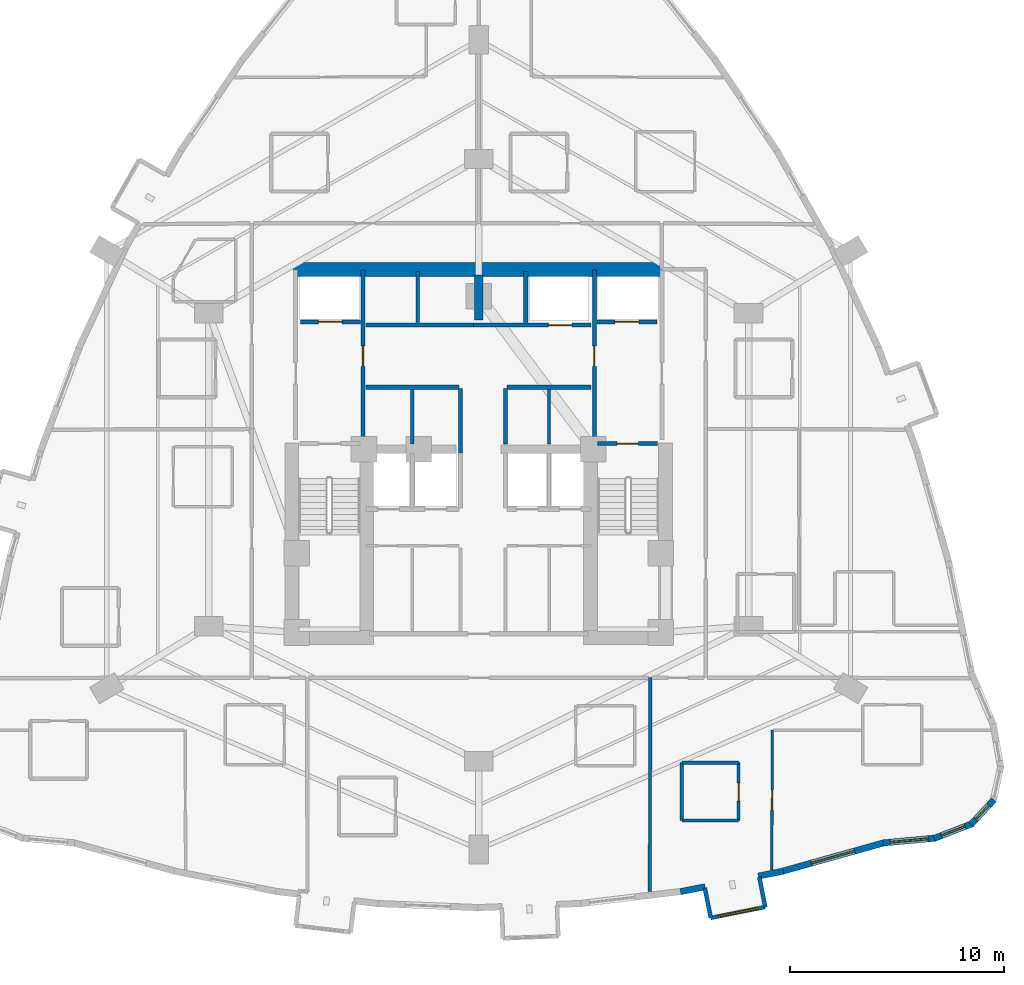
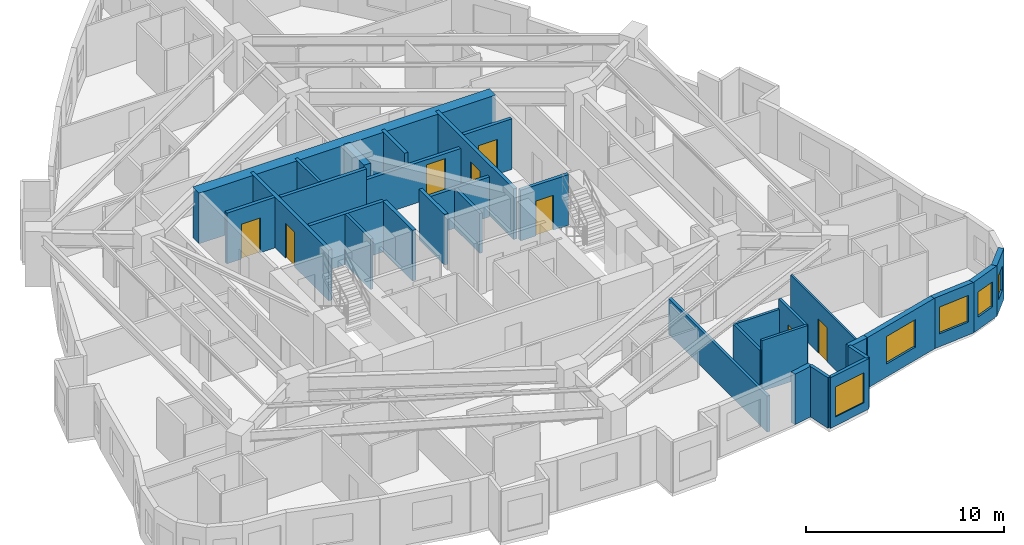
# One storey, part 7 of 11: 32 walls, 8 doors, 5 windows, 13 openings.
"""IFC4 building model written with IfcOpenShell, lengths in metres."""

from ifc_helpers import new_model, si_unit, direction, frame, frame_2d, origin, place, context, subcontext, project, spatial, rectangle, extrude, material, layer, layer_set, type_object, element, fill, save


model = new_model("IFC4")

# Units and contexts
model_context = context("Model", 3, precision=1e-05, world=origin(), true_north=direction((0.0, 1.0)))
body_context = subcontext(model_context, "Body", "Model", "MODEL_VIEW")
ifc_project = project(units=[si_unit("LENGTHUNIT", "METRE"), si_unit("AREAUNIT", "SQUARE_METRE"), si_unit("VOLUMEUNIT", "CUBIC_METRE"), si_unit("PLANEANGLEUNIT", "RADIAN"), si_unit("MASSUNIT", "GRAM", prefix="KILO")], contexts=[model_context])

# Site, building, storey
site_placement = place(None, origin())
site = spatial("IfcSite", under=ifc_project, at=site_placement, CompositionType="ELEMENT")
building_placement = place(site_placement, origin())
building = spatial("IfcBuilding", under=site, at=building_placement, Name="Miruveldt Soraemaru", CompositionType="ELEMENT")
storey_placement = place(building_placement, frame((0.0, 0.0, 66.60009765625)))
storey = spatial("IfcBuildingStorey", under=building, at=storey_placement, Name="L18", CompositionType="ELEMENT", Elevation=66.60009765625)

# Walls
ifc_material_1 = material(Name="White powder-coated aluminium EN AW-6060 T6", Category="aluminium")
ifc_layer_1 = layer(ifc_material_1, 0.18994140625, Name="White powder-coated aluminium EN AW-6060 T6", Category="aluminium")
ifc_layer_set_1 = layer_set([ifc_layer_1], Name="White powder-coated aluminium EN AW-6060 T6")
wall_type_1 = type_object("IfcWallType", Name="WALL-BAY-ALU190", PredefinedType="SOLIDWALL", material=ifc_layer_set_1)
for number, where, z_axis, x_axis, name in (
    (1, (54.548583984375, 23.576171875, 0.0), (0.0, 0.0, 1.0), (0.196149079112, -0.980574086321, 0.0), "L18 Bay Window Side Cheek 5L"),
    (2, (57.377685546875, 22.688720703125, 0.0), (0.0, 0.0, 1.0), (-0.195984352603, 0.980607022989, 0.0), "L18 Bay Window Side Cheek 5R"),
):
    element("IfcWall", number, at=place(storey_placement, frame(where, z_axis=z_axis, x_axis=x_axis)), inside=storey, type_object=wall_type_1, Name=name, PredefinedType="SOLIDWALL", context=body_context, shape_type="SweptSolid", body=[
        extrude(rectangle(XDim=1.425048828125, YDim=0.18994140625, at=frame_2d((0.71240234375, 0.0))), origin(), (0.0, 0.0, 1.0), 3.125),
    ])

# Wall, opening, window
wall_1_placement = place(storey_placement, frame((54.828125, 22.1787109375, 0.0), z_axis=(0.0, 0.0, 1.0), x_axis=(0.980573452128, 0.196152249497, 0.0)))
wall_1 = element("IfcWall", 3, at=wall_1_placement, inside=storey, type_object=wall_type_1, Name="L18 Bay Window Front Frame 5", PredefinedType="SOLIDWALL", context=body_context, shape_type="SweptSolid", body=[
    extrude(rectangle(XDim=2.60009765625, YDim=0.18994140625, at=frame_2d((1.300048828125, 0.0))), origin(), (0.0, 0.0, 1.0), 3.125),
])
opening_1_placement = place(wall_1_placement, frame((0.35009765625, 0.0, 0.550048828125)))
opening_1 = element("IfcOpeningElement", 4, at=opening_1_placement, cuts=wall_1, Name="Opening WN-6", PredefinedType="OPENING", context=body_context, shape_type="SweptSolid", body=[
    extrude(rectangle(XDim=1.89990234375, YDim=1.85009765625, at=frame_2d((0.949951171875, 0.925048828125))), frame((0.0, 0.10498046875, 0.0), z_axis=(0.0, -1.0, 0.0), x_axis=(1.0, 0.0, 0.0)), (0.0, 0.0, 1.0), 0.2099609375),
])
ifc_material_2 = material(Name="Triple low-e insulated glazing", Category="glass")
window_type_1 = type_object("IfcWindowType", Name="WIN-BAYW-1900x1850", PartitioningType="SINGLE_PANEL", PredefinedType="WINDOW", material=ifc_material_2)
window_1_placement = place(opening_1_placement, origin())
window_1 = element("IfcWindow", 5, at=window_1_placement, inside=storey, type_object=window_type_1, Name="L18 Projecting Bay Window 5", OverallHeight=1.85009765625, OverallWidth=1.89990234375, PartitioningType="SINGLE_PANEL", PredefinedType="WINDOW", context=body_context, shape_type="SweptSolid", body=[
    extrude(rectangle(XDim=1.89990234375, YDim=1.85009765625, at=frame_2d((0.949951171875, 0.925048828125))), frame((0.0, 0.030029296875, 0.0), z_axis=(0.0, -1.0, 0.0), x_axis=(1.0, 0.0, 0.0)), (0.0, 0.0, 1.0), 0.06005859375),
])
fill(opening_1, window_1)

# Walls
ifc_material_3 = material(Name="Concrete C70/85 (70 MPa)", Category="concrete")
ifc_layer_2 = layer(ifc_material_3, 0.5, Name="Concrete C70/85 (70 MPa)", Category="concrete")
ifc_layer_set_2 = layer_set([ifc_layer_2], Name="Concrete C70/85 (70 MPa)")
wall_type_2 = type_object("IfcWallType", Name="WALL-BW-500", PredefinedType="SHEAR", material=ifc_layer_set_2)
wall_2_placement = place(storey_placement, frame((44.0, 50.10009765625, 0.0), z_axis=(0.0, 0.0, 1.0), x_axis=(0.0, 1.0, 0.0)))
element("IfcWall", 6, at=wall_2_placement, inside=storey, type_object=wall_type_2, Name="L18 Core Buttress Shear Wall BN", PredefinedType="SHEAR", context=body_context, shape_type="SweptSolid", body=[
    extrude(rectangle(XDim=2.099853515625, YDim=0.39990234375, at=frame_2d((1.0498046875, 0.0))), origin(), (0.0, 0.0, 1.0), 3.125),
])
ifc_material_4 = material(Name="Concrete C80/95 (80 MPa)", Category="concrete")
ifc_layer_3 = layer(ifc_material_4, 0.64990234375, Name="Concrete C80/95 (80 MPa)", Category="concrete")
ifc_layer_set_3 = layer_set([ifc_layer_3], Name="Concrete C80/95 (80 MPa)")
wall_type_3 = type_object("IfcWallType", Name="WALL-CW-650", PredefinedType="SHEAR", material=ifc_layer_set_3)
wall_3_placement = place(storey_placement, frame((35.35009765625, 52.449951171875, 0.0), z_axis=(0.0, 0.0, 1.0), x_axis=(1.0, 0.0, 0.0)))
element("IfcWall", 7, at=wall_3_placement, inside=storey, type_object=wall_type_3, Name="L18 Central Core Shear Wall N", PredefinedType="SHEAR", context=body_context, shape_type="SweptSolid", body=[
    extrude(rectangle(XDim=17.2998046875, YDim=0.64990234375, at=frame_2d((8.64990234375, 0.0))), origin(), (0.0, 0.0, 1.0), 3.125),
])
ifc_material_5 = material(Name="Precast concrete C45/55 (45 MPa)", Category="concrete")
ifc_layer_4 = layer(ifc_material_5, 0.300048828125, Name="Precast concrete C45/55 (45 MPa)", Category="concrete")
ifc_layer_set_4 = layer_set([ifc_layer_4], Name="Precast concrete C45/55 (45 MPa)")
wall_type_4 = type_object("IfcWallType", Name="WALL-EXT-PC300", PredefinedType="SOLIDWALL", material=ifc_layer_set_4)
for number, where, z_axis, x_axis, name in (
    (8, (53.416015625, 23.405517578125, 0.0), (0.0, 0.0, 1.0), (0.980548675022, 0.196276070657, 0.0), "L18 Precast Pier Wall 27A"),
    (9, (57.05810546875, 24.134033203125, 0.0), (0.0, 0.0, 1.0), (0.980548675022, 0.196276070657, 0.0), "L18 Precast Pier Wall 27B"),
):
    element("IfcWall", number, at=place(storey_placement, frame(where, z_axis=z_axis, x_axis=x_axis)), inside=storey, type_object=wall_type_4, Name=name, PredefinedType="SOLIDWALL", context=body_context, shape_type="SweptSolid", body=[
        extrude(rectangle(XDim=1.17431640625, YDim=0.300048828125, at=frame_2d((0.587158203125, 0.0))), origin(), (0.0, 0.0, 1.0), 3.125),
    ])

# Wall, opening, window
wall_4_placement = place(storey_placement, frame((58.1416015625, 24.34814453125, 0.0), z_axis=(0.0, 0.0, 1.0), x_axis=(0.962969114378, 0.269611729629, 0.0)))
wall_4 = element("IfcWall", 10, at=wall_4_placement, inside=storey, type_object=wall_type_4, Name="L18 Precast Concrete Facade Wall 28", PredefinedType="SOLIDWALL", context=body_context, shape_type="SweptSolid", body=[
    extrude(rectangle(XDim=4.976806640625, YDim=0.300048828125, at=frame_2d((2.48828125, 0.0))), origin(), (0.0, 0.0, 1.0), 3.125),
])
opening_2_placement = place(wall_4_placement, frame((1.43798828125, 0.0, 0.800048828125)))
opening_2 = element("IfcOpeningElement", 11, at=opening_2_placement, cuts=wall_4, Name="Opening WN-1", PredefinedType="OPENING", context=body_context, shape_type="SweptSolid", body=[
    extrude(rectangle(XDim=2.10009765625, YDim=1.699951171875, at=frame_2d((1.050048828125, 0.85009765625))), frame((0.0, 0.16015625, 0.0), z_axis=(0.0, -1.0, 0.0), x_axis=(1.0, 0.0, 0.0)), (0.0, 0.0, 1.0), 0.320068359375),
])
window_type_2 = type_object("IfcWindowType", Name="WIN-PUNCH-2100x1700", PartitioningType="SINGLE_PANEL", PredefinedType="WINDOW", material=ifc_material_2)
window_2_placement = place(opening_2_placement, origin())
window_2 = element("IfcWindow", 12, at=window_2_placement, inside=storey, type_object=window_type_2, Name="L18 Punched Triple-Glazed Window 28.1", OverallHeight=1.699951171875, OverallWidth=2.10009765625, PartitioningType="SINGLE_PANEL", PredefinedType="WINDOW", context=body_context, shape_type="SweptSolid", body=[
    extrude(rectangle(XDim=2.10009765625, YDim=1.699951171875, at=frame_2d((1.050048828125, 0.85009765625))), frame((0.0, 0.030029296875, 0.0), z_axis=(0.0, -1.0, 0.0), x_axis=(1.0, 0.0, 0.0)), (0.0, 0.0, 1.0), 0.06005859375),
])
fill(opening_2, window_2)

wall_5_placement = place(storey_placement, frame((62.865478515625, 25.677490234375, 0.0), z_axis=(0.0, 0.0, 1.0), x_axis=(0.995765843862, 0.091925971292, 0.0)))
wall_5 = element("IfcWall", 13, at=wall_5_placement, inside=storey, type_object=wall_type_4, Name="L18 Precast Concrete Facade Wall 29", PredefinedType="SOLIDWALL", context=body_context, shape_type="SweptSolid", body=[
    extrude(rectangle(XDim=2.469970703125, YDim=0.300048828125, at=frame_2d((1.23486328125, 0.0))), origin(), (0.0, 0.0, 1.0), 3.125),
])
opening_3_placement = place(wall_5_placement, frame((0.3349609375, 0.0, 0.800048828125)))
opening_3 = element("IfcOpeningElement", 14, at=opening_3_placement, cuts=wall_5, Name="Opening WN-2", PredefinedType="OPENING", context=body_context, shape_type="SweptSolid", body=[
    extrude(rectangle(XDim=1.800048828125, YDim=1.64990234375, at=frame_2d((0.89990234375, 0.824951171875))), frame((0.0, 0.16015625, 0.0), z_axis=(0.0, -1.0, 0.0), x_axis=(1.0, 0.0, 0.0)), (0.0, 0.0, 1.0), 0.320068359375),
])
window_type_3 = type_object("IfcWindowType", Name="WIN-PUNCH-1800x1650", PartitioningType="SINGLE_PANEL", PredefinedType="WINDOW", material=ifc_material_2)
window_3_placement = place(opening_3_placement, origin())
window_3 = element("IfcWindow", 15, at=window_3_placement, inside=storey, type_object=window_type_3, Name="L18 Punched Triple-Glazed Window 29.1", OverallHeight=1.64990234375, OverallWidth=1.800048828125, PartitioningType="SINGLE_PANEL", PredefinedType="WINDOW", context=body_context, shape_type="SweptSolid", body=[
    extrude(rectangle(XDim=1.800048828125, YDim=1.64990234375, at=frame_2d((0.89990234375, 0.824951171875))), frame((0.0, 0.030029296875, 0.0), z_axis=(0.0, -1.0, 0.0), x_axis=(1.0, 0.0, 0.0)), (0.0, 0.0, 1.0), 0.06005859375),
])
fill(opening_3, window_3)

wall_6_placement = place(storey_placement, frame((65.25732421875, 25.888671875, 0.0), z_axis=(0.0, 0.0, 1.0), x_axis=(0.932288833734, 0.361714708707, 0.0)))
wall_6 = element("IfcWall", 16, at=wall_6_placement, inside=storey, type_object=wall_type_4, Name="L18 Precast Concrete Facade Wall 30", PredefinedType="SOLIDWALL", context=body_context, shape_type="SweptSolid", body=[
    extrude(rectangle(XDim=1.900634765625, YDim=0.300048828125, at=frame_2d((0.9501953125, 0.0))), origin(), (0.0, 0.0, 1.0), 3.125),
])
opening_4_placement = place(wall_6_placement, frame((0.35107421875, 0.0, 0.780029296875)))
opening_4 = element("IfcOpeningElement", 17, at=opening_4_placement, cuts=wall_6, Name="Opening WN-4", PredefinedType="OPENING", context=body_context, shape_type="SweptSolid", body=[
    extrude(rectangle(XDim=1.199951171875, YDim=1.550048828125, at=frame_2d((0.60009765625, 0.77490234375))), frame((0.0, 0.16015625, 0.0), z_axis=(0.0, -1.0, 0.0), x_axis=(1.0, 0.0, 0.0)), (0.0, 0.0, 1.0), 0.320068359375),
])
window_type_4 = type_object("IfcWindowType", Name="WIN-PUNCH-1200x1550", PartitioningType="SINGLE_PANEL", PredefinedType="WINDOW", material=ifc_material_2)
window_4_placement = place(opening_4_placement, origin())
window_4 = element("IfcWindow", 18, at=window_4_placement, inside=storey, type_object=window_type_4, Name="L18 Punched Triple-Glazed Window 30.1", OverallHeight=1.550048828125, OverallWidth=1.199951171875, PartitioningType="SINGLE_PANEL", PredefinedType="WINDOW", context=body_context, shape_type="SweptSolid", body=[
    extrude(rectangle(XDim=1.199951171875, YDim=1.550048828125, at=frame_2d((0.60009765625, 0.77490234375))), frame((0.0, 0.030029296875, 0.0), z_axis=(0.0, -1.0, 0.0), x_axis=(1.0, 0.0, 0.0)), (0.0, 0.0, 1.0), 0.06005859375),
])
fill(opening_4, window_4)

wall_7_placement = place(storey_placement, frame((66.972900390625, 26.537841796875, 0.0), z_axis=(0.0, 0.0, 1.0), x_axis=(0.680201509312, 0.73302517469, 0.0)))
wall_7 = element("IfcWall", 19, at=wall_7_placement, inside=storey, type_object=wall_type_4, Name="L18 Precast Concrete Facade Wall 31", PredefinedType="SOLIDWALL", context=body_context, shape_type="SweptSolid", body=[
    extrude(rectangle(XDim=1.575927734375, YDim=0.300048828125, at=frame_2d((0.7880859375, 0.0))), origin(), (0.0, 0.0, 1.0), 3.125),
])
opening_5_placement = place(wall_7_placement, frame((0.337890625, 0.0, 0.780029296875)))
opening_5 = element("IfcOpeningElement", 20, at=opening_5_placement, cuts=wall_7, Name="Opening WN-7", PredefinedType="OPENING", context=body_context, shape_type="SweptSolid", body=[
    extrude(rectangle(XDim=0.89990234375, YDim=1.5, at=frame_2d((0.449951171875, 0.75))), frame((0.0, 0.16015625, 0.0), z_axis=(0.0, -1.0, 0.0), x_axis=(1.0, 0.0, 0.0)), (0.0, 0.0, 1.0), 0.320068359375),
])
window_type_5 = type_object("IfcWindowType", Name="WIN-PUNCH-900x1500", PartitioningType="SINGLE_PANEL", PredefinedType="WINDOW", material=ifc_material_2)
window_5_placement = place(opening_5_placement, origin())
window_5 = element("IfcWindow", 21, at=window_5_placement, inside=storey, type_object=window_type_5, Name="L18 Punched Triple-Glazed Window 31.1", OverallHeight=1.5, OverallWidth=0.89990234375, PartitioningType="SINGLE_PANEL", PredefinedType="WINDOW", context=body_context, shape_type="SweptSolid", body=[
    extrude(rectangle(XDim=0.89990234375, YDim=1.5, at=frame_2d((0.449951171875, 0.75))), frame((0.0, 0.030029296875, 0.0), z_axis=(0.0, -1.0, 0.0), x_axis=(1.0, 0.0, 0.0)), (0.0, 0.0, 1.0), 0.06005859375),
])
fill(opening_5, window_5)

# Wall, opening, door
ifc_material_6 = material(Name="Gypsum plasterboard lining", Category="gypsum")
ifc_layer_5 = layer(ifc_material_6, 0.1201171875, Name="Gypsum plasterboard lining", Category="gypsum")
ifc_layer_set_5 = layer_set([ifc_layer_5], Name="Gypsum plasterboard lining")
wall_type_5 = type_object("IfcWallType", Name="WALL-INT-P120", PredefinedType="PARTITIONING", material=ifc_layer_set_5)
wall_8_placement = place(storey_placement, frame((57.680908203125, 24.427001953125, 0.0), z_axis=(0.0, 0.0, 1.0), x_axis=(0.002619947592, 0.999996567931, 0.0)))
wall_8 = element("IfcWall", 22, at=wall_8_placement, inside=storey, type_object=wall_type_5, Name="L18 Partition Wall 109", PredefinedType="PARTITIONING", context=body_context, shape_type="SweptSolid", body=[
    extrude(rectangle(XDim=6.52294921875, YDim=0.1201171875, at=frame_2d((3.261474609375, 0.0))), origin(), (0.0, 0.0, 1.0), 3.125),
])
opening_6_placement = place(wall_8_placement, frame((2.802001953125, 0.0, 0.0)))
opening_6 = element("IfcOpeningElement", 23, at=opening_6_placement, cuts=wall_8, Name="Opening D3A", PredefinedType="OPENING", context=body_context, shape_type="SweptSolid", body=[
    extrude(rectangle(XDim=0.919921875, YDim=2.10009765625, at=frame_2d((0.4599609375, 1.050048828125))), frame((0.0, 0.070068359375, 0.0), z_axis=(0.0, -1.0, 0.0), x_axis=(1.0, 0.0, 0.0)), (0.0, 0.0, 1.0), 0.14013671875),
])
ifc_material_7 = material(Name="Anodised aluminium EN AW-6063 T6", Category="aluminium")
door_type_1 = type_object("IfcDoorType", Name="DOOR-INT-920", OperationType="NOTDEFINED", PredefinedType="DOOR", material=ifc_material_7)
door_1_placement = place(opening_6_placement, origin())
door_1 = element("IfcDoor", 24, at=door_1_placement, inside=storey, type_object=door_type_1, Name="L18 Unit 1809 BD1 Door", OperationType="SINGLE_SWING_LEFT", OverallHeight=2.10009765625, OverallWidth=0.919921875, PredefinedType="DOOR", context=body_context, shape_type="SweptSolid", body=[
    extrude(rectangle(XDim=0.919921875, YDim=2.10009765625, at=frame_2d((0.4599609375, 1.050048828125))), frame((0.0, 0.02490234375, 0.0), z_axis=(0.0, -1.0, 0.0), x_axis=(1.0, 0.0, 0.0)), (0.0, 0.0, 1.0), 0.050048828125),
])
fill(opening_6, door_1)

ifc_layer_6 = layer(ifc_material_6, 0.14990234375, Name="Gypsum plasterboard lining", Category="gypsum")
ifc_layer_set_6 = layer_set([ifc_layer_6], Name="Gypsum plasterboard lining")
wall_type_6 = type_object("IfcWallType", Name="WALL-INT-PLUMB", PredefinedType="PLUMBINGWALL", material=ifc_layer_set_6)
wall_9_placement = place(storey_placement, frame((56.1298828125, 26.72705078125, 0.0), z_axis=(0.0, 0.0, 1.0), x_axis=(0.0, 1.0, 0.0)))
wall_9 = element("IfcWall", 25, at=wall_9_placement, inside=storey, type_object=wall_type_6, Name="L18 Partition Wall 102", PredefinedType="PLUMBINGWALL", context=body_context, shape_type="SweptSolid", body=[
    extrude(rectangle(XDim=2.699951171875, YDim=0.14990234375, at=frame_2d((1.35009765625, 0.0))), origin(), (0.0, 0.0, 1.0), 3.125),
])
opening_7_placement = place(wall_9_placement, frame((0.909912109375, 0.0, 0.0)))
opening_7 = element("IfcOpeningElement", 26, at=opening_7_placement, cuts=wall_9, Name="Opening FD3", PredefinedType="OPENING", context=body_context, shape_type="SweptSolid", body=[
    extrude(rectangle(XDim=0.85009765625, YDim=2.10009765625, at=frame_2d((0.425048828125, 1.050048828125))), frame((0.0, 0.0849609375, 0.0), z_axis=(0.0, -1.0, 0.0), x_axis=(1.0, 0.0, 0.0)), (0.0, 0.0, 1.0), 0.169921875),
])
door_type_2 = type_object("IfcDoorType", Name="DOOR-FD3-850", OperationType="NOTDEFINED", PredefinedType="DOOR", material=ifc_material_7)
door_2_placement = place(opening_7_placement, origin())
door_2 = element("IfcDoor", 27, at=door_2_placement, inside=storey, type_object=door_type_2, Name="L18 Unit 1809 BTH Door", OperationType="SINGLE_SWING_LEFT", OverallHeight=2.10009765625, OverallWidth=0.85009765625, PredefinedType="DOOR", context=body_context, shape_type="SweptSolid", body=[
    extrude(rectangle(XDim=0.85009765625, YDim=2.10009765625, at=frame_2d((0.425048828125, 1.050048828125))), frame((0.0, 0.02490234375, 0.0), z_axis=(0.0, -1.0, 0.0), x_axis=(1.0, 0.0, 0.0)), (0.0, 0.0, 1.0), 0.050048828125),
])
fill(opening_7, door_2)

# Walls
wall_10_placement = place(storey_placement, frame((53.47998046875, 29.427001953125, 0.0), z_axis=(0.0, 0.0, 1.0), x_axis=(0.0, -1.0, 0.0)))
element("IfcWall", 28, at=wall_10_placement, inside=storey, type_object=wall_type_6, Name="L18 Partition Wall 104", PredefinedType="PLUMBINGWALL", context=body_context, shape_type="SweptSolid", body=[
    extrude(rectangle(XDim=2.699951171875, YDim=0.14990234375, at=frame_2d((1.35009765625, 0.0))), origin(), (0.0, 0.0, 1.0), 2.512939453125),
])
wall_11_placement = place(storey_placement, frame((56.1298828125, 29.427001953125, 0.0), z_axis=(0.0, 0.0, 1.0), x_axis=(-1.0, 0.0, 0.0)))
element("IfcWall", 29, at=wall_11_placement, inside=storey, type_object=wall_type_6, Name="L18 Partition Wall 103", PredefinedType="PLUMBINGWALL", context=body_context, shape_type="SweptSolid", body=[
    extrude(rectangle(XDim=2.64990234375, YDim=0.14990234375, at=frame_2d((1.324951171875, 0.0))), origin(), (0.0, 0.0, 1.0), 2.512939453125),
])
wall_12_placement = place(storey_placement, frame((53.47998046875, 26.72705078125, 0.0), z_axis=(0.0, 0.0, 1.0), x_axis=(1.0, 0.0, 0.0)))
element("IfcWall", 30, at=wall_12_placement, inside=storey, type_object=wall_type_6, Name="L18 Partition Wall 105", PredefinedType="PLUMBINGWALL", context=body_context, shape_type="SweptSolid", body=[
    extrude(rectangle(XDim=2.64990234375, YDim=0.14990234375, at=frame_2d((1.324951171875, 0.0))), origin(), (0.0, 0.0, 1.0), 3.125),
])
ifc_material_8 = material(Name="Concrete C40/50 (40 MPa)", Category="concrete")
ifc_layer_7 = layer(ifc_material_8, 0.159912109375, Name="Concrete C40/50 (40 MPa)", Category="concrete")
ifc_layer_set_7 = layer_set([ifc_layer_7], Name="Concrete C40/50 (40 MPa)")
wall_type_7 = type_object("IfcWallType", Name="WALL-INT-RC160", PredefinedType="SOLIDWALL", material=ifc_layer_set_7)
wall_13_placement = place(storey_placement, frame((51.989990234375, 23.403076171875, 0.0), z_axis=(0.0, 0.0, 1.0), x_axis=(0.001001293854, 0.999999498705, 0.0)))
element("IfcWall", 31, at=wall_13_placement, inside=storey, type_object=wall_type_7, Name="L18 Partition Wall 101", PredefinedType="SOLIDWALL", context=body_context, shape_type="SweptSolid", body=[
    extrude(rectangle(XDim=9.996826171875, YDim=0.159912109375, at=frame_2d((4.99853515625, 0.0))), origin(), (0.0, 0.0, 1.0), 2.219970703125),
])
wall_14_placement = place(storey_placement, frame((40.89990234375, 44.300048828125, 0.0), z_axis=(0.0, 0.0, 1.0), x_axis=(0.0, 1.0, 0.0)))
element("IfcWall", 32, at=wall_14_placement, inside=storey, type_object=wall_type_7, Name="L18 Core Compartment Wall PLM-DW", PredefinedType="SOLIDWALL", context=body_context, shape_type="SweptSolid", body=[
    extrude(rectangle(XDim=2.550048828125, YDim=0.159912109375, at=frame_2d((1.27490234375, 0.0))), origin(), (0.0, 0.0, 1.0), 3.125),
])
wall_15_placement = place(storey_placement, frame((47.280029296875, 44.300048828125, 0.0), z_axis=(0.0, 0.0, 1.0), x_axis=(0.0, 1.0, 0.0)))
element("IfcWall", 33, at=wall_15_placement, inside=storey, type_object=wall_type_7, Name="L18 Core Compartment Wall PLM-DE", PredefinedType="SOLIDWALL", context=body_context, shape_type="SweptSolid", body=[
    extrude(rectangle(XDim=2.550048828125, YDim=0.159912109375, at=frame_2d((1.27490234375, 0.0))), origin(), (0.0, 0.0, 1.0), 2.462890625),
])
wall_16_placement = place(storey_placement, frame((41.14990234375, 49.97998046875, 0.0), z_axis=(0.0, 0.0, 1.0), x_axis=(0.0, 1.0, 0.0)))
element("IfcWall", 34, at=wall_16_placement, inside=storey, type_object=wall_type_7, Name="L18 Core Compartment Wall PLH-DIV1", PredefinedType="SOLIDWALL", context=body_context, shape_type="SweptSolid", body=[
    extrude(rectangle(XDim=2.3701171875, YDim=0.159912109375, at=frame_2d((1.18505859375, 0.0))), origin(), (0.0, 0.0, 1.0), 3.125),
])

# Wall, opening, door
ifc_layer_8 = layer(ifc_material_8, 0.199951171875, Name="Concrete C40/50 (40 MPa)", Category="concrete")
ifc_layer_set_8 = layer_set([ifc_layer_8], Name="Concrete C40/50 (40 MPa)")
wall_type_8 = type_object("IfcWallType", Name="WALL-INT-RC200", PredefinedType="SOLIDWALL", material=ifc_layer_set_8)
wall_17_placement = place(storey_placement, frame((38.60009765625, 44.5, 0.0), z_axis=(0.0, 0.0, 1.0), x_axis=(0.0, 1.0, 0.0)))
wall_17 = element("IfcWall", 35, at=wall_17_placement, inside=storey, type_object=wall_type_8, Name="L18 Core Compartment Wall FFW-IN", PredefinedType="SOLIDWALL", context=body_context, shape_type="SweptSolid", body=[
    extrude(rectangle(XDim=7.919921875, YDim=0.199951171875, at=frame_2d((3.9599609375, 0.0))), origin(), (0.0, 0.0, 1.0), 3.125),
])
opening_8_placement = place(wall_17_placement, frame((3.425048828125, 0.0, 0.0)))
opening_8 = element("IfcOpeningElement", 36, at=opening_8_placement, cuts=wall_17, Name="Opening FD2", PredefinedType="OPENING", context=body_context, shape_type="SweptSolid", body=[
    extrude(rectangle(XDim=0.949951171875, YDim=2.14990234375, at=frame_2d((0.47509765625, 1.074951171875))), frame((0.0, 0.10986328125, 0.0), z_axis=(0.0, -1.0, 0.0), x_axis=(1.0, 0.0, 0.0)), (0.0, 0.0, 1.0), 0.219970703125),
])
door_type_3 = type_object("IfcDoorType", Name="DOOR-FD2-950", OperationType="NOTDEFINED", PredefinedType="DOOR", material=ifc_material_7)
door_3_placement = place(opening_8_placement, frame((0.949951171875, 0.0, 0.0), z_axis=(0.0, 0.0, 1.0), x_axis=(-1.0, 0.0, 0.0)))
door_3 = element("IfcDoor", 37, at=door_3_placement, inside=storey, type_object=door_type_3, Name="L18 Lift Lobby to West Fire Lobby Door", OperationType="SINGLE_SWING_RIGHT", OverallHeight=2.14990234375, OverallWidth=0.949951171875, PredefinedType="DOOR", context=body_context, shape_type="SweptSolid", body=[
    extrude(rectangle(XDim=0.949951171875, YDim=2.14990234375, at=frame_2d((0.47509765625, 1.074951171875))), frame((0.0, 0.02490234375, 0.0), z_axis=(0.0, -1.0, 0.0), x_axis=(1.0, 0.0, 0.0)), (0.0, 0.0, 1.0), 0.050048828125),
])
fill(opening_8, door_3)

wall_18_placement = place(storey_placement, frame((49.39990234375, 44.5, 0.0), z_axis=(0.0, 0.0, 1.0), x_axis=(0.0, 1.0, 0.0)))
wall_18 = element("IfcWall", 38, at=wall_18_placement, inside=storey, type_object=wall_type_8, Name="L18 Core Compartment Wall FFE-IN", PredefinedType="SOLIDWALL", context=body_context, shape_type="SweptSolid", body=[
    extrude(rectangle(XDim=7.919921875, YDim=0.199951171875, at=frame_2d((3.9599609375, 0.0))), origin(), (0.0, 0.0, 1.0), 3.125),
])
opening_9_placement = place(wall_18_placement, frame((3.425048828125, 0.0, 0.0)))
opening_9 = element("IfcOpeningElement", 39, at=opening_9_placement, cuts=wall_18, Name="Opening FD2", PredefinedType="OPENING", context=body_context, shape_type="SweptSolid", body=[
    extrude(rectangle(XDim=0.949951171875, YDim=2.14990234375, at=frame_2d((0.47509765625, 1.074951171875))), frame((0.0, 0.10986328125, 0.0), z_axis=(0.0, -1.0, 0.0), x_axis=(1.0, 0.0, 0.0)), (0.0, 0.0, 1.0), 0.219970703125),
])
door_4_placement = place(opening_9_placement, origin())
door_4 = element("IfcDoor", 40, at=door_4_placement, inside=storey, type_object=door_type_3, Name="L18 Lift Lobby to East Fire Lobby Door", OperationType="SINGLE_SWING_LEFT", OverallHeight=2.14990234375, OverallWidth=0.949951171875, PredefinedType="DOOR", context=body_context, shape_type="SweptSolid", body=[
    extrude(rectangle(XDim=0.949951171875, YDim=2.14990234375, at=frame_2d((0.47509765625, 1.074951171875))), frame((0.0, 0.02490234375, 0.0), z_axis=(0.0, -1.0, 0.0), x_axis=(1.0, 0.0, 0.0)), (0.0, 0.0, 1.0), 0.050048828125),
])
fill(opening_9, door_4)

wall_19_placement = place(storey_placement, frame((43.75, 49.85009765625, 0.0), z_axis=(0.0, 0.0, 1.0), x_axis=(1.0, 0.0, 0.0)))
wall_19 = element("IfcWall", 41, at=wall_19_placement, inside=storey, type_object=wall_type_8, Name="L18 Core Compartment Wall ROWA-SE", PredefinedType="SOLIDWALL", context=body_context, shape_type="SweptSolid", body=[
    extrude(rectangle(XDim=5.5, YDim=0.199951171875, at=frame_2d((2.75, 0.0))), origin(), (0.0, 0.0, 1.0), 2.462890625),
])
opening_10_placement = place(wall_19_placement, frame((3.5, 0.0, 0.0)))
opening_10 = element("IfcOpeningElement", 42, at=opening_10_placement, cuts=wall_19, Name="Opening LD2", PredefinedType="OPENING", context=body_context, shape_type="SweptSolid", body=[
    extrude(rectangle(XDim=1.10009765625, YDim=2.14990234375, at=frame_2d((0.550048828125, 1.074951171875))), frame((0.0, 0.10986328125, 0.0), z_axis=(0.0, -1.0, 0.0), x_axis=(1.0, 0.0, 0.0)), (0.0, 0.0, 1.0), 0.219970703125),
])
door_type_4 = type_object("IfcDoorType", Name="DOOR-LD2-1100", OperationType="SLIDING_TO_LEFT", PredefinedType="DOOR", material=ifc_material_7)
door_5_placement = place(opening_10_placement, origin())
door_5 = element("IfcDoor", 43, at=door_5_placement, inside=storey, type_object=door_type_4, Name="L18 SL-1 Landing Door", OperationType="SLIDING_TO_LEFT", OverallHeight=2.14990234375, OverallWidth=1.10009765625, PredefinedType="DOOR", context=body_context, shape_type="SweptSolid", body=[
    extrude(rectangle(XDim=1.10009765625, YDim=2.14990234375, at=frame_2d((0.550048828125, 1.074951171875))), frame((0.0, 0.02490234375, 0.0), z_axis=(0.0, -1.0, 0.0), x_axis=(1.0, 0.0, 0.0)), (0.0, 0.0, 1.0), 0.050048828125),
])
fill(opening_10, door_5)

wall_20_placement = place(storey_placement, frame((49.550048828125, 44.320068359375, 0.0), z_axis=(0.0, 0.0, 1.0), x_axis=(1.0, 0.0, 0.0)))
wall_20 = element("IfcWall", 44, at=wall_20_placement, inside=storey, type_object=wall_type_8, Name="L18 Core Compartment Wall ST2-N", PredefinedType="SOLIDWALL", context=body_context, shape_type="SweptSolid", body=[
    extrude(rectangle(XDim=2.800048828125, YDim=0.199951171875, at=frame_2d((1.39990234375, 0.0))), origin(), (0.0, 0.0, 1.0), 3.125),
])
opening_11_placement = place(wall_20_placement, frame((0.89990234375, 0.0, 0.0)))
opening_11 = element("IfcOpeningElement", 45, at=opening_11_placement, cuts=wall_20, Name="Opening FD1", PredefinedType="OPENING", context=body_context, shape_type="SweptSolid", body=[
    extrude(rectangle(XDim=1.0, YDim=2.14990234375, at=frame_2d((0.5, 1.074951171875))), frame((0.0, 0.10986328125, 0.0), z_axis=(0.0, -1.0, 0.0), x_axis=(1.0, 0.0, 0.0)), (0.0, 0.0, 1.0), 0.219970703125),
])
door_type_5 = type_object("IfcDoorType", Name="DOOR-FD1-1000", OperationType="NOTDEFINED", PredefinedType="DOOR", material=ifc_material_7)
door_6_placement = place(opening_11_placement, frame((1.0, 0.0, 0.0), z_axis=(0.0, 0.0, 1.0), x_axis=(-1.0, 0.0, 0.0)))
door_6 = element("IfcDoor", 46, at=door_6_placement, inside=storey, type_object=door_type_5, Name="L18 Stair ST-2 Fire Door", OperationType="SINGLE_SWING_RIGHT", OverallHeight=2.14990234375, OverallWidth=1.0, PredefinedType="DOOR", context=body_context, shape_type="SweptSolid", body=[
    extrude(rectangle(XDim=1.0, YDim=2.14990234375, at=frame_2d((0.5, 1.074951171875))), frame((0.0, 0.02490234375, 0.0), z_axis=(0.0, -1.0, 0.0), x_axis=(1.0, 0.0, 0.0)), (0.0, 0.0, 1.0), 0.050048828125),
])
fill(opening_11, door_6)

wall_21_placement = place(storey_placement, frame((35.679931640625, 50.0, 0.0), z_axis=(0.0, 0.0, 1.0), x_axis=(1.0, 0.0, 0.0)))
wall_21 = element("IfcWall", 47, at=wall_21_placement, inside=storey, type_object=wall_type_8, Name="L18 Core Compartment Wall FFL1-S", PredefinedType="SOLIDWALL", context=body_context, shape_type="SweptSolid", body=[
    extrude(rectangle(XDim=2.800048828125, YDim=0.199951171875, at=frame_2d((1.39990234375, 0.0))), origin(), (0.0, 0.0, 1.0), 3.125),
])
opening_12_placement = place(wall_21_placement, frame((0.85009765625, 0.0, 0.0)))
opening_12 = element("IfcOpeningElement", 48, at=opening_12_placement, cuts=wall_21, Name="Opening LD2", PredefinedType="OPENING", context=body_context, shape_type="SweptSolid", body=[
    extrude(rectangle(XDim=1.10009765625, YDim=2.14990234375, at=frame_2d((0.550048828125, 1.074951171875))), frame((0.0, 0.10986328125, 0.0), z_axis=(0.0, -1.0, 0.0), x_axis=(1.0, 0.0, 0.0)), (0.0, 0.0, 1.0), 0.219970703125),
])
door_7_placement = place(opening_12_placement, origin())
door_7 = element("IfcDoor", 49, at=door_7_placement, inside=storey, type_object=door_type_4, Name="L18 FFL-1 Landing Door", OperationType="SLIDING_TO_LEFT", OverallHeight=2.14990234375, OverallWidth=1.10009765625, PredefinedType="DOOR", context=body_context, shape_type="SweptSolid", body=[
    extrude(rectangle(XDim=1.10009765625, YDim=2.14990234375, at=frame_2d((0.550048828125, 1.074951171875))), frame((0.0, 0.02490234375, 0.0), z_axis=(0.0, -1.0, 0.0), x_axis=(1.0, 0.0, 0.0)), (0.0, 0.0, 1.0), 0.050048828125),
])
fill(opening_12, door_7)

wall_22_placement = place(storey_placement, frame((49.52001953125, 50.0, 0.0), z_axis=(0.0, 0.0, 1.0), x_axis=(1.0, 0.0, 0.0)))
wall_22 = element("IfcWall", 50, at=wall_22_placement, inside=storey, type_object=wall_type_8, Name="L18 Core Compartment Wall FFL2-S", PredefinedType="SOLIDWALL", context=body_context, shape_type="SweptSolid", body=[
    extrude(rectangle(XDim=2.800048828125, YDim=0.199951171875, at=frame_2d((1.39990234375, 0.0))), origin(), (0.0, 0.0, 1.0), 3.125),
])
opening_13_placement = place(wall_22_placement, frame((0.85009765625, 0.0, 0.0)))
opening_13 = element("IfcOpeningElement", 51, at=opening_13_placement, cuts=wall_22, Name="Opening LD2", PredefinedType="OPENING", context=body_context, shape_type="SweptSolid", body=[
    extrude(rectangle(XDim=1.10009765625, YDim=2.14990234375, at=frame_2d((0.550048828125, 1.074951171875))), frame((0.0, 0.10986328125, 0.0), z_axis=(0.0, -1.0, 0.0), x_axis=(1.0, 0.0, 0.0)), (0.0, 0.0, 1.0), 0.219970703125),
])
door_8_placement = place(opening_13_placement, origin())
door_8 = element("IfcDoor", 52, at=door_8_placement, inside=storey, type_object=door_type_4, Name="L18 FFL-2 Landing Door", OperationType="SLIDING_TO_LEFT", OverallHeight=2.14990234375, OverallWidth=1.10009765625, PredefinedType="DOOR", context=body_context, shape_type="SweptSolid", body=[
    extrude(rectangle(XDim=1.10009765625, YDim=2.14990234375, at=frame_2d((0.550048828125, 1.074951171875))), frame((0.0, 0.02490234375, 0.0), z_axis=(0.0, -1.0, 0.0), x_axis=(1.0, 0.0, 0.0)), (0.0, 0.0, 1.0), 0.050048828125),
])
fill(opening_13, door_8)

# Walls
wall_23_placement = place(storey_placement, frame((38.75, 49.85009765625, 0.0), z_axis=(0.0, 0.0, 1.0), x_axis=(1.0, 0.0, 0.0)))
element("IfcWall", 53, at=wall_23_placement, inside=storey, type_object=wall_type_8, Name="L18 Core Compartment Wall ROWA-SW", PredefinedType="SOLIDWALL", context=body_context, shape_type="SweptSolid", body=[
    extrude(rectangle(XDim=5.0, YDim=0.199951171875, at=frame_2d((2.5, 0.0))), origin(), (0.0, 0.0, 1.0), 3.125),
])
wall_24_placement = place(storey_placement, frame((38.75, 46.949951171875, 0.0), z_axis=(0.0, 0.0, 1.0), x_axis=(1.0, 0.0, 0.0)))
element("IfcWall", 54, at=wall_24_placement, inside=storey, type_object=wall_type_8, Name="L18 Core Compartment Wall MBW-N", PredefinedType="SOLIDWALL", context=body_context, shape_type="SweptSolid", body=[
    extrude(rectangle(XDim=4.330078125, YDim=0.199951171875, at=frame_2d((2.1650390625, 0.0))), origin(), (0.0, 0.0, 1.0), 3.125),
])
wall_25_placement = place(storey_placement, frame((45.320068359375, 46.949951171875, 0.0), z_axis=(0.0, 0.0, 1.0), x_axis=(1.0, 0.0, 0.0)))
element("IfcWall", 55, at=wall_25_placement, inside=storey, type_object=wall_type_8, Name="L18 Core Compartment Wall MBE-N", PredefinedType="SOLIDWALL", context=body_context, shape_type="SweptSolid", body=[
    extrude(rectangle(XDim=3.929931640625, YDim=0.199951171875, at=frame_2d((1.96484375, 0.0))), origin(), (0.0, 0.0, 1.0), 2.462890625),
])
wall_26_placement = place(storey_placement, frame((43.14990234375, 43.8798828125, 0.0), z_axis=(0.0, 0.0, 1.0), x_axis=(0.0, 1.0, 0.0)))
element("IfcWall", 56, at=wall_26_placement, inside=storey, type_object=wall_type_8, Name="L18 Core Compartment Wall SP-WB", PredefinedType="SOLIDWALL", context=body_context, shape_type="SweptSolid", body=[
    extrude(rectangle(XDim=3.0, YDim=0.199951171875, at=frame_2d((1.5, 0.0))), origin(), (0.0, 0.0, 1.0), 3.125),
])
wall_27_placement = place(storey_placement, frame((45.25, 44.300048828125, 0.0), z_axis=(0.0, 0.0, 1.0), x_axis=(0.0, 1.0, 0.0)))
element("IfcWall", 57, at=wall_27_placement, inside=storey, type_object=wall_type_8, Name="L18 Core Compartment Wall SP-EB", PredefinedType="SOLIDWALL", context=body_context, shape_type="SweptSolid", body=[
    extrude(rectangle(XDim=2.579833984375, YDim=0.199951171875, at=frame_2d((1.2900390625, 0.0))), origin(), (0.0, 0.0, 1.0), 3.125),
])
wall_28_placement = place(storey_placement, frame((46.199951171875, 49.97998046875, 0.0), z_axis=(0.0, 0.0, 1.0), x_axis=(0.0, 1.0, 0.0)))
element("IfcWall", 58, at=wall_28_placement, inside=storey, type_object=wall_type_8, Name="L18 Core Compartment Wall PLH-SL-DIV", PredefinedType="SOLIDWALL", context=body_context, shape_type="SweptSolid", body=[
    extrude(rectangle(XDim=2.3701171875, YDim=0.199951171875, at=frame_2d((1.18505859375, 0.0))), origin(), (0.0, 0.0, 1.0), 3.125),
])

save(model, "model.ifc")
